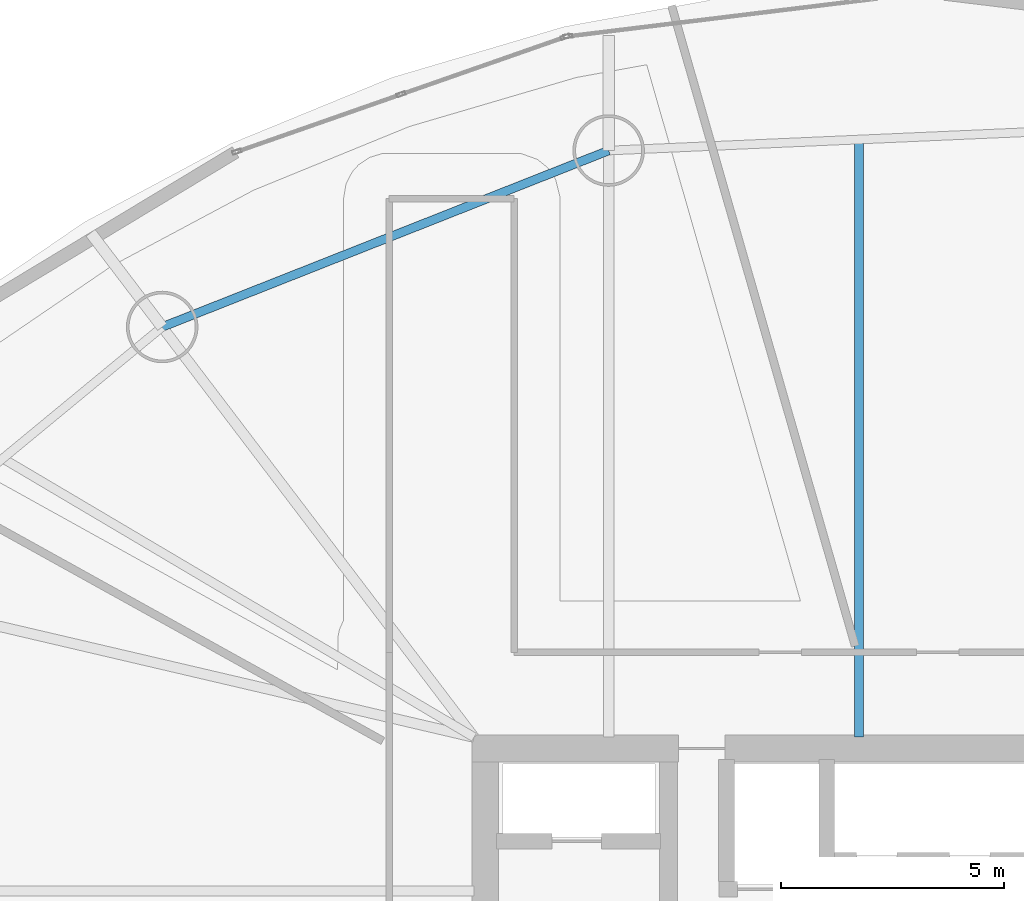
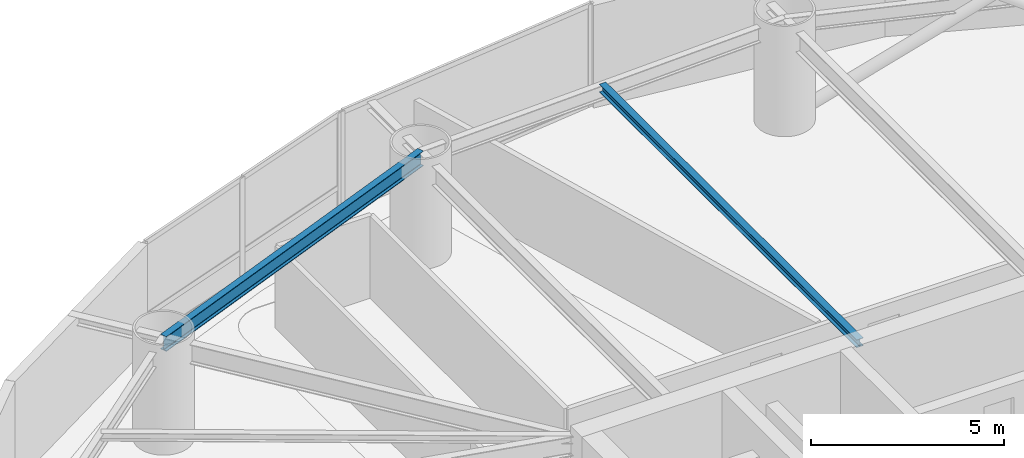
# One storey, part 18 of 30: 2 beams.
"""IFC4 building model written with IfcOpenShell, lengths in metres."""

from ifc_helpers import new_model, si_unit, direction, frame, origin, origin_2d, place, context, subcontext, project, spatial, i_section, extrude, material, material_profile, profile_set, type_object, element, save


model = new_model("IFC4")

# Units and contexts
model_context = context("Model", 3, precision=1e-05, world=origin(), true_north=direction((0.0, 1.0)))
body_context = subcontext(model_context, "Body", "Model", "MODEL_VIEW")
ifc_project = project(units=[si_unit("LENGTHUNIT", "METRE"), si_unit("AREAUNIT", "SQUARE_METRE"), si_unit("VOLUMEUNIT", "CUBIC_METRE"), si_unit("PLANEANGLEUNIT", "RADIAN"), si_unit("MASSUNIT", "GRAM", prefix="KILO")], contexts=[model_context])

# Site, building, storey
site_placement = place(None, origin())
site = spatial("IfcSite", under=ifc_project, at=site_placement, CompositionType="ELEMENT")
building_placement = place(site_placement, origin())
building = spatial("IfcBuilding", under=site, at=building_placement, Name="Bramvorn Convention Spire", CompositionType="ELEMENT")
storey_placement = place(building_placement, frame((0.0, 0.0, 90.39990234375)))
storey = spatial("IfcBuildingStorey", under=building, at=storey_placement, Name="L21", CompositionType="ELEMENT", Elevation=90.39990234375)

# Beams
ifc_material = material(Name="Steel CSA G40.21 Grade 350 (350W)", Category="steel")
ifc_material_profile_1 = material_profile(ifc_material, i_section(OverallWidth=0.201904296875, OverallDepth=0.2470703125, WebThickness=0.00732421875, FlangeThickness=0.010986328125, FilletRadius=0.011962890625, at=origin_2d()))
ifc_profile_set_1 = profile_set([ifc_material_profile_1], Name="Steel CSA G40.21 Grade 350 (350W) - W250X49")
beam_type_1 = type_object("IfcBeamType", Name="BM-W250X49", PredefinedType="JOIST", material=ifc_profile_set_1)
beam_1_placement = place(storey_placement, frame((35.361572265625, 33.449951171875, 3.126708984375), z_axis=(0.0, 1.0, 0.0), x_axis=(-1.0, 0.0, 0.0)))
element("IfcBeam", 1, at=beam_1_placement, inside=storey, type_object=beam_type_1, Name="L21 composite floor joist 05", PredefinedType="JOIST", context=body_context, shape_type="SweptSolid", body=[
    extrude(i_section(OverallWidth=0.201904296875, OverallDepth=0.2470703125, WebThickness=0.00732421875, FlangeThickness=0.010986328125, FilletRadius=0.011962890625, at=origin_2d()), origin(), (0.0, 0.0, 1.0), 13.372802734375),
])
ifc_material_profile_2 = material_profile(ifc_material, i_section(OverallWidth=0.194091796875, OverallDepth=0.468994140625, WebThickness=0.0126953125, FlangeThickness=0.0205078125, FilletRadius=0.01806640625, at=origin_2d()))
ifc_profile_set_2 = profile_set([ifc_material_profile_2], Name="Steel CSA G40.21 Grade 350 (350W) - W460X106")
beam_type_2 = type_object("IfcBeamType", Name="BM-W460X106", PredefinedType="SPANDREL", material=ifc_profile_set_2)
beam_2_placement = place(storey_placement, frame((29.76220703125, 46.57666015625, 3.015625), z_axis=(-0.93000950609, -0.367535465749, 0.0), x_axis=(0.367535465749, -0.93000950609, 0.0)))
element("IfcBeam", 2, at=beam_2_placement, inside=storey, type_object=beam_type_2, Name="L21 mega-column ring beam 06", PredefinedType="SPANDREL", context=body_context, shape_type="SweptSolid", body=[
    extrude(i_section(OverallWidth=0.194091796875, OverallDepth=0.468994140625, WebThickness=0.0126953125, FlangeThickness=0.0205078125, FilletRadius=0.01806640625, at=origin_2d()), origin(), (0.0, 0.0, 1.0), 10.74169921875),
])

save(model, "model.ifc")
